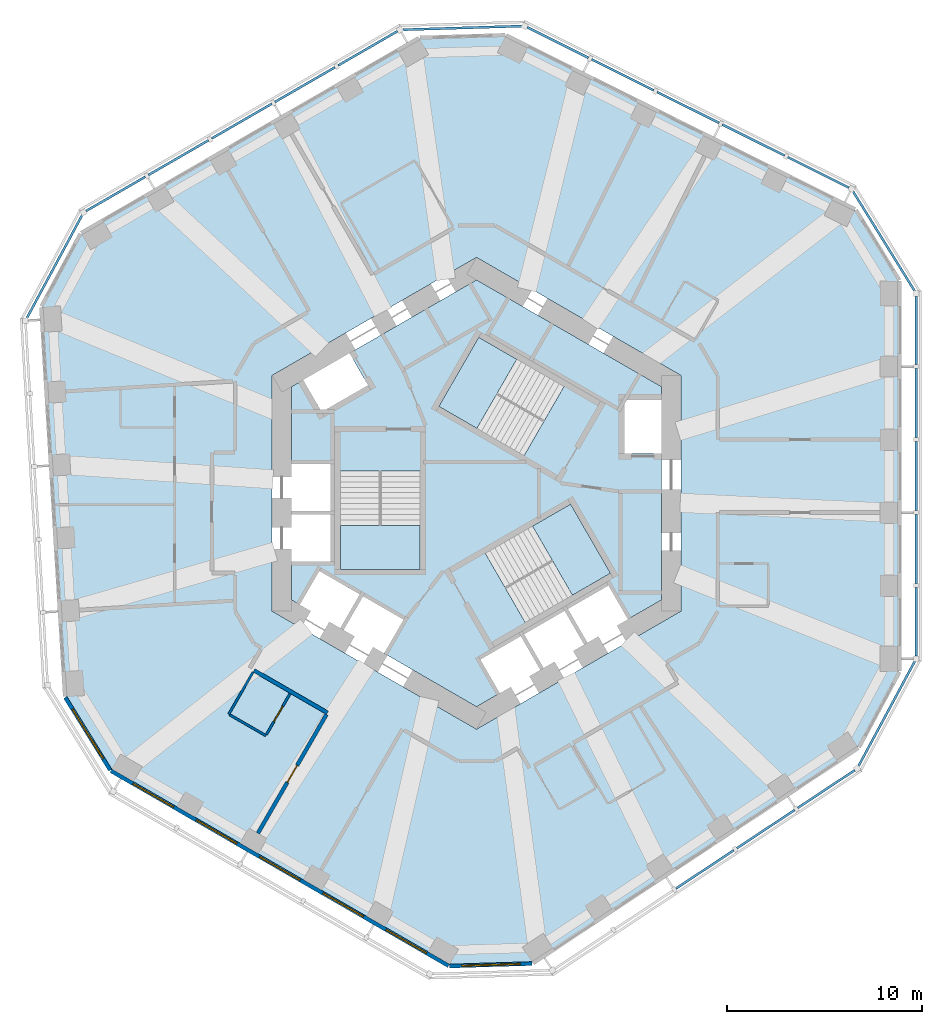
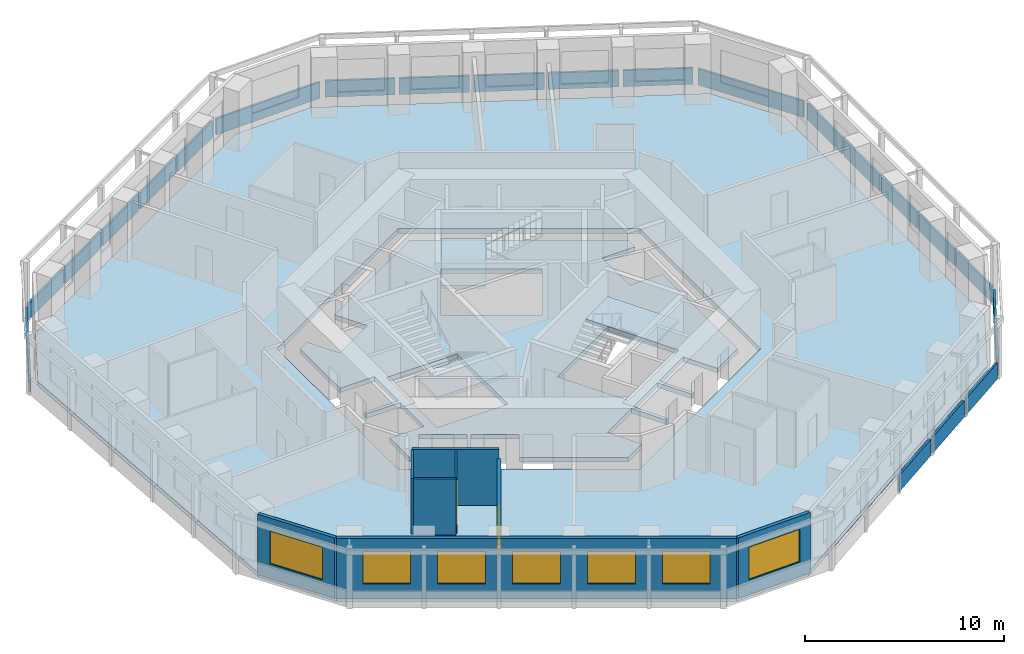
# One storey, part 3 of 11: 22 plates, 8 walls, 7 windows, 5 slabs, 2 doors, 9 openings, 11 elements without a shape of their own.
"""IFC4 building model written with IfcOpenShell, lengths in metres."""

from ifc_helpers import new_model, si_unit, direction, frame, frame_2d, origin, origin_2d, place, context, subcontext, project, spatial, polyline, rectangle, outline, extrude, material, layer, layer_set, type_object, element, fill, aggregate, save


model = new_model("IFC4")

# Units and contexts
model_context = context("Model", 3, precision=1e-05, world=origin(), true_north=direction((0.0, 1.0)))
body_context = subcontext(model_context, "Body", "Model", "MODEL_VIEW")
ifc_project = project(units=[si_unit("LENGTHUNIT", "METRE"), si_unit("AREAUNIT", "SQUARE_METRE"), si_unit("VOLUMEUNIT", "CUBIC_METRE"), si_unit("PLANEANGLEUNIT", "RADIAN"), si_unit("MASSUNIT", "GRAM", prefix="KILO")], contexts=[model_context])

# Site, building, storey
site_placement = place(None, origin())
site = spatial("IfcSite", under=ifc_project, at=site_placement, CompositionType="ELEMENT")
building_placement = place(site_placement, origin())
building = spatial("IfcBuilding", under=site, at=building_placement, Name="Vanh Sen Convention Tower", CompositionType="ELEMENT")
storey_placement = place(building_placement, frame((0.0, 0.0, 146.60009765625)))
storey = spatial("IfcBuildingStorey", under=building, at=storey_placement, Name="L35", CompositionType="ELEMENT", Elevation=146.60009765625)

# Slabs
ifc_material_1 = material(Name="Concrete C40/50", Category="concrete")
ifc_layer_1 = layer(ifc_material_1, 0.280029296875)
ifc_layer_set_1 = layer_set([ifc_layer_1], Name="Concrete C40/50")
slab_type_1 = type_object("IfcSlabType", Name="Core slab 280", PredefinedType="FLOOR", material=ifc_layer_set_1)
slab_1_placement = place(storey_placement, frame((0.0, 0.0, -0.280029296875)))
element("IfcSlab", 1, at=slab_1_placement, inside=storey, type_object=slab_type_1, Name="Core slab L35", PredefinedType="FLOOR", context=body_context, shape_type="SweptSolid", body=[
    extrude(outline(polyline([(0.0, 10.9697265625), (9.5, 5.48486328125), (9.5, 4.800048828125), (7.60009765625, 4.800048828125), (7.60009765625, 2.050048828125), (9.5, 2.050048828125), (9.5, -5.48486328125), (7.781005859375, -6.477294921875), (6.781005859375, -4.7451171875), (4.70263671875, -5.9453125), (5.70263671875, -7.67724609375), (5.529296875, -7.777099609375), (4.529296875, -6.045166015625), (2.450927734375, -7.2451171875), (3.450927734375, -8.977294921875), (3.27783203125, -9.0771484375), (2.27783203125, -7.34521484375), (0.19921875, -8.545166015625), (1.19921875, -10.277099609375), (0.0, -10.9697265625), (-4.75, -8.227294921875), (-3.75, -6.4951171875), (-5.82861328125, -5.295166015625), (-6.82861328125, -7.027099609375), (-7.001708984375, -6.92724609375), (-6.001708984375, -5.1953125), (-8.080078125, -3.9951171875), (-9.080078125, -5.727294921875), (-9.5, -5.48486328125), (-9.5, -3.5), (-7.5, -3.5), (-7.5, -1.10009765625), (-9.5, -1.10009765625), (-9.5, -0.89990234375), (-7.5, -0.89990234375), (-7.5, 1.5), (-9.5, 1.5), (-9.5, 5.48486328125), (-8.906982421875, 5.8271484375), (-7.956787109375, 4.181884765625), (-5.575439453125, 5.556884765625), (-6.525390625, 7.2021484375), (0.0, 10.9697265625)]), holes=[polyline([(-7.0, 1.1494140625), (-7.0, -3.909912109375), (-2.89990234375, -3.909912109375), (-2.89990234375, 1.1494140625), (-7.0, 1.1494140625)]), polyline([(2.504638671875, -6.63671875), (6.88623046875, -4.107177734375), (4.836181640625, -0.556396484375), (0.45458984375, -3.086181640625), (2.504638671875, -6.63671875)]), polyline([(0.11376953125, 8.01708984375), (-1.936279296875, 4.466552734375), (2.4453125, 1.936767578125), (4.495361328125, 5.487548828125), (0.11376953125, 8.01708984375)])]), origin(), (0.0, 0.0, 1.0), 0.280029296875),
])
ifc_layer_2 = layer(ifc_material_1, 0.280029296875)
ifc_layer_set_2 = layer_set([ifc_layer_2], Name="Concrete C40/50")
slab_type_2 = type_object("IfcSlabType", Name="Floor slab 280 REI 120", PredefinedType="FLOOR", material=ifc_layer_set_2)
slab_2_placement = place(storey_placement, frame((0.0, 0.0, -0.280029296875)))
element("IfcSlab", 2, at=slab_2_placement, inside=storey, type_object=slab_type_2, Name="Floor slab L35 tower", PredefinedType="FLOOR", context=body_context, shape_type="SweptSolid", body=[
    extrude(outline(polyline([(21.699951171875, -9.15087890625), (21.699951171875, 10.91943359375), (19.454833984375, 14.5478515625), (1.492919921875, 23.503173828125), (-2.925048828125, 23.368408203125), (-20.306640625, 13.3330078125), (-22.326171875, 9.574462890625), (-21.100830078125, -10.458740234375), (-18.77490234375, -14.21728515625), (-1.393310546875, -24.25244140625), (2.871337890625, -24.122314453125), (19.60791015625, -13.04443359375), (21.699951171875, -9.15087890625)]), holes=[polyline([(0.0, 12.12451171875), (-10.5, 6.062255859375), (-10.5, -6.062255859375), (0.0, -12.12451171875), (10.5, -6.062255859375), (10.5, 6.062255859375), (0.0, 12.12451171875)])]), origin(), (0.0, 0.0, 1.0), 0.280029296875),
])

# Curtain wall, plates
ifc_material_2 = material(Name="Concrete C50/60", Category="concrete")
curtain_wall_type = type_object("IfcCurtainWallType", Name="Outer skin office zone", PredefinedType="NOTDEFINED", material=ifc_material_2)
curtain_wall_1_placement = place(storey_placement, origin())
curtain_wall_1 = element("IfcCurtainWall", 3, at=curtain_wall_1_placement, inside=storey, type_object=curtain_wall_type, Name="OUTER SKIN E L35", PredefinedType="NOTDEFINED")
ifc_layer_3 = layer(ifc_material_2, 0.1201171875)
ifc_layer_set_3 = layer_set([ifc_layer_3], Name="Concrete C50/60")
plate_type = type_object("IfcPlateType", Name="Outer skin precast screen panel 120", PredefinedType="CURTAIN_PANEL", material=ifc_layer_set_3)
plate_1_placement = place(storey_placement, frame((22.60009765625, -6.59912109375, 0.0), z_axis=(0.0, 0.0, 1.0), x_axis=(0.0, 1.0, 0.0)))
plate_1 = element("IfcPlate", 4, at=plate_1_placement, type_object=plate_type, Name="OUTER SKIN screen panel E-1", PredefinedType="CURTAIN_PANEL", context=body_context, shape_type="SweptSolid", body=[
    extrude(rectangle(XDim=3.504150390625, YDim=0.1201171875, at=origin_2d()), origin(), (0.0, 0.0, 1.0), 1.0),
])
plate_2_placement = place(storey_placement, frame((22.60009765625, -2.869873046875, 0.0), z_axis=(0.0, 0.0, 1.0), x_axis=(0.0, 1.0, 0.0)))
plate_2 = element("IfcPlate", 5, at=plate_2_placement, type_object=plate_type, Name="OUTER SKIN screen panel E-2", PredefinedType="CURTAIN_PANEL", context=body_context, shape_type="SweptSolid", body=[
    extrude(rectangle(XDim=3.55419921875, YDim=0.1201171875, at=origin_2d()), origin(), (0.0, 0.0, 1.0), 1.0),
])
plate_3_placement = place(storey_placement, frame((22.60009765625, 0.88427734375, 0.0), z_axis=(0.0, 0.0, 1.0), x_axis=(0.0, 1.0, 0.0)))
plate_3 = element("IfcPlate", 6, at=plate_3_placement, type_object=plate_type, Name="OUTER SKIN screen panel E-3", PredefinedType="CURTAIN_PANEL", context=body_context, shape_type="SweptSolid", body=[
    extrude(rectangle(XDim=3.55419921875, YDim=0.1201171875, at=origin_2d()), origin(), (0.0, 0.0, 1.0), 1.0),
])
plate_4_placement = place(storey_placement, frame((22.60009765625, 4.63818359375, 0.0), z_axis=(0.0, 0.0, 1.0), x_axis=(0.0, 1.0, 0.0)))
plate_4 = element("IfcPlate", 7, at=plate_4_placement, type_object=plate_type, Name="OUTER SKIN screen panel E-4", PredefinedType="CURTAIN_PANEL", context=body_context, shape_type="SweptSolid", body=[
    extrude(rectangle(XDim=3.55419921875, YDim=0.1201171875, at=origin_2d()), origin(), (0.0, 0.0, 1.0), 1.0),
])
plate_5_placement = place(storey_placement, frame((22.60009765625, 8.367431640625, 0.0), z_axis=(0.0, 0.0, 1.0), x_axis=(0.0, 1.0, 0.0)))
plate_5 = element("IfcPlate", 8, at=plate_5_placement, type_object=plate_type, Name="OUTER SKIN screen panel E-5", PredefinedType="CURTAIN_PANEL", context=body_context, shape_type="SweptSolid", body=[
    extrude(rectangle(XDim=3.504150390625, YDim=0.1201171875, at=origin_2d()), origin(), (0.0, 0.0, 1.0), 1.0),
])
aggregate(curtain_wall_1, [plate_1, plate_2, plate_3, plate_4, plate_5])

# Curtain wall, plate
curtain_wall_2_placement = place(storey_placement, origin())
curtain_wall_2 = element("IfcCurtainWall", 9, at=curtain_wall_2_placement, inside=storey, type_object=curtain_wall_type, Name="OUTER SKIN CH1 L35", PredefinedType="NOTDEFINED")
plate_6_placement = place(storey_placement, frame((20.937255859375, 12.956298828125, 0.0), z_axis=(0.0, 0.0, 1.0), x_axis=(-0.5262035346, 0.850358653848, 0.0)))
plate_6 = element("IfcPlate", 10, at=plate_6_placement, type_object=plate_type, Name="OUTER SKIN screen panel CH1-1", PredefinedType="CURTAIN_PANEL", context=body_context, shape_type="SweptSolid", body=[
    extrude(rectangle(XDim=6.01953125, YDim=0.1201171875, at=origin_2d()), origin(), (0.0, 0.0, 1.0), 1.0),
])
aggregate(curtain_wall_2, [plate_6])

# Curtain wall, plates
curtain_wall_3_placement = place(storey_placement, origin())
curtain_wall_3 = element("IfcCurtainWall", 11, at=curtain_wall_3_placement, inside=storey, type_object=curtain_wall_type, Name="OUTER SKIN NE L35", PredefinedType="NOTDEFINED")
plate_7_placement = place(storey_placement, frame((17.572509765625, 16.491943359375, 0.0), z_axis=(0.0, 0.0, 1.0), x_axis=(-0.894943706551, 0.446179069551, 0.0)))
plate_7 = element("IfcPlate", 12, at=plate_7_placement, type_object=plate_type, Name="OUTER SKIN screen panel NE-1", PredefinedType="CURTAIN_PANEL", context=body_context, shape_type="SweptSolid", body=[
    extrude(rectangle(XDim=3.504150390625, YDim=0.1201171875, at=origin_2d()), origin(), (0.0, 0.0, 1.0), 1.0),
])
plate_8_placement = place(storey_placement, frame((14.235107421875, 18.156005859375, 0.0), z_axis=(0.0, 0.0, 1.0), x_axis=(-0.894932804072, 0.446200937017, 0.0)))
plate_8 = element("IfcPlate", 13, at=plate_8_placement, type_object=plate_type, Name="OUTER SKIN screen panel NE-2", PredefinedType="CURTAIN_PANEL", context=body_context, shape_type="SweptSolid", body=[
    extrude(rectangle(XDim=3.55419921875, YDim=0.1201171875, at=origin_2d()), origin(), (0.0, 0.0, 1.0), 1.0),
])
plate_9_placement = place(storey_placement, frame((10.87548828125, 19.8310546875, 0.0), z_axis=(0.0, 0.0, 1.0), x_axis=(-0.894932804072, 0.446200937017, 0.0)))
plate_9 = element("IfcPlate", 14, at=plate_9_placement, type_object=plate_type, Name="OUTER SKIN screen panel NE-3", PredefinedType="CURTAIN_PANEL", context=body_context, shape_type="SweptSolid", body=[
    extrude(rectangle(XDim=3.55419921875, YDim=0.1201171875, at=origin_2d()), origin(), (0.0, 0.0, 1.0), 1.0),
])
plate_10_placement = place(storey_placement, frame((7.515625, 21.506103515625, 0.0), z_axis=(0.0, 0.0, 1.0), x_axis=(-0.894932804072, 0.446200937017, 0.0)))
plate_10 = element("IfcPlate", 15, at=plate_10_placement, type_object=plate_type, Name="OUTER SKIN screen panel NE-4", PredefinedType="CURTAIN_PANEL", context=body_context, shape_type="SweptSolid", body=[
    extrude(rectangle(XDim=3.55419921875, YDim=0.1201171875, at=origin_2d()), origin(), (0.0, 0.0, 1.0), 1.0),
])
plate_11_placement = place(storey_placement, frame((4.178466796875, 23.169921875, 0.0), z_axis=(0.0, 0.0, 1.0), x_axis=(-0.894943706551, 0.446179069551, 0.0)))
plate_11 = element("IfcPlate", 16, at=plate_11_placement, type_object=plate_type, Name="OUTER SKIN screen panel NE-5", PredefinedType="CURTAIN_PANEL", context=body_context, shape_type="SweptSolid", body=[
    extrude(rectangle(XDim=3.504150390625, YDim=0.1201171875, at=origin_2d()), origin(), (0.0, 0.0, 1.0), 1.0),
])
aggregate(curtain_wall_3, [plate_7, plate_8, plate_9, plate_10, plate_11])

# Curtain wall, plate
curtain_wall_4_placement = place(storey_placement, origin())
curtain_wall_4 = element("IfcCurtainWall", 17, at=curtain_wall_4_placement, inside=storey, type_object=curtain_wall_type, Name="OUTER SKIN CH2 L35", PredefinedType="NOTDEFINED")
plate_12_placement = place(storey_placement, frame((-0.73095703125, 23.920654296875, 0.0), z_axis=(0.0, 0.0, 1.0), x_axis=(-0.999533590837, -0.03053851321, 0.0)))
plate_12 = element("IfcPlate", 18, at=plate_12_placement, type_object=plate_type, Name="OUTER SKIN screen panel CH2-1", PredefinedType="CURTAIN_PANEL", context=body_context, shape_type="SweptSolid", body=[
    extrude(rectangle(XDim=6.1171875, YDim=0.1201171875, at=origin_2d()), origin(), (0.0, 0.0, 1.0), 1.0),
])
aggregate(curtain_wall_4, [plate_12])

# Curtain wall, plates
curtain_wall_5_placement = place(storey_placement, origin())
curtain_wall_5 = element("IfcCurtainWall", 19, at=curtain_wall_5_placement, inside=storey, type_object=curtain_wall_type, Name="OUTER SKIN NW L35", PredefinedType="NOTDEFINED")
plate_13_placement = place(storey_placement, frame((-5.585205078125, 22.87158203125, 0.0), z_axis=(0.0, 0.0, 1.0), x_axis=(-0.866035002936, -0.499983373414, 0.0)))
plate_13 = element("IfcPlate", 20, at=plate_13_placement, type_object=plate_type, Name="OUTER SKIN screen panel NW-1", PredefinedType="CURTAIN_PANEL", context=body_context, shape_type="SweptSolid", body=[
    extrude(rectangle(XDim=3.504150390625, YDim=0.1201171875, at=origin_2d()), origin(), (0.0, 0.0, 1.0), 1.0),
])
plate_14_placement = place(storey_placement, frame((-8.814697265625, 21.007080078125, 0.0), z_axis=(0.0, 0.0, 1.0), x_axis=(-0.866016677006, -0.500015114919, 0.0)))
plate_14 = element("IfcPlate", 21, at=plate_14_placement, type_object=plate_type, Name="OUTER SKIN screen panel NW-2", PredefinedType="CURTAIN_PANEL", context=body_context, shape_type="SweptSolid", body=[
    extrude(rectangle(XDim=3.55419921875, YDim=0.1201171875, at=origin_2d()), origin(), (0.0, 0.0, 1.0), 1.0),
])
plate_15_placement = place(storey_placement, frame((-12.06591796875, 19.1298828125, 0.0), z_axis=(0.0, 0.0, 1.0), x_axis=(-0.866035002936, -0.499983373414, 0.0)))
plate_15 = element("IfcPlate", 22, at=plate_15_placement, type_object=plate_type, Name="OUTER SKIN screen panel NW-3", PredefinedType="CURTAIN_PANEL", context=body_context, shape_type="SweptSolid", body=[
    extrude(rectangle(XDim=3.55419921875, YDim=0.1201171875, at=origin_2d()), origin(), (0.0, 0.0, 1.0), 1.0),
])
plate_16_placement = place(storey_placement, frame((-15.31689453125, 17.2529296875, 0.0), z_axis=(0.0, 0.0, 1.0), x_axis=(-0.866016677006, -0.500015114919, 0.0)))
plate_16 = element("IfcPlate", 23, at=plate_16_placement, type_object=plate_type, Name="OUTER SKIN screen panel NW-4", PredefinedType="CURTAIN_PANEL", context=body_context, shape_type="SweptSolid", body=[
    extrude(rectangle(XDim=3.55419921875, YDim=0.1201171875, at=origin_2d()), origin(), (0.0, 0.0, 1.0), 1.0),
])
plate_17_placement = place(storey_placement, frame((-18.54638671875, 15.388427734375, 0.0), z_axis=(0.0, 0.0, 1.0), x_axis=(-0.866035002936, -0.499983373414, 0.0)))
plate_17 = element("IfcPlate", 24, at=plate_17_placement, type_object=plate_type, Name="OUTER SKIN screen panel NW-5", PredefinedType="CURTAIN_PANEL", context=body_context, shape_type="SweptSolid", body=[
    extrude(rectangle(XDim=3.504150390625, YDim=0.1201171875, at=origin_2d()), origin(), (0.0, 0.0, 1.0), 1.0),
])
aggregate(curtain_wall_5, [plate_13, plate_14, plate_15, plate_16, plate_17])

# Curtain wall, plate
curtain_wall_6_placement = place(storey_placement, origin())
curtain_wall_6 = element("IfcCurtainWall", 25, at=curtain_wall_6_placement, inside=storey, type_object=curtain_wall_type, Name="OUTER SKIN CH3 L35", PredefinedType="NOTDEFINED")
plate_18_placement = place(storey_placement, frame((-21.689208984375, 11.654052734375, 0.0), z_axis=(0.0, 0.0, 1.0), x_axis=(-0.47331812974, -0.880891564303, 0.0)))
plate_18 = element("IfcPlate", 26, at=plate_18_placement, type_object=plate_type, Name="OUTER SKIN screen panel CH3-1", PredefinedType="CURTAIN_PANEL", context=body_context, shape_type="SweptSolid", body=[
    extrude(rectangle(XDim=6.019287109375, YDim=0.1201171875, at=origin_2d()), origin(), (0.0, 0.0, 1.0), 1.0),
])
aggregate(curtain_wall_6, [plate_18])

# Curtain wall, plates
curtain_wall_7_placement = place(storey_placement, origin())
curtain_wall_7 = element("IfcCurtainWall", 27, at=curtain_wall_7_placement, inside=storey, type_object=curtain_wall_type, Name="OUTER SKIN SE L35", PredefinedType="NOTDEFINED")
plate_19_placement = place(storey_placement, frame((11.736328125, -19.333984375, 0.0), z_axis=(0.0, 0.0, 1.0), x_axis=(0.833877152158, 0.551950083892, 0.0)))
plate_19 = element("IfcPlate", 28, at=plate_19_placement, type_object=plate_type, Name="OUTER SKIN screen panel SE-3", PredefinedType="CURTAIN_PANEL", context=body_context, shape_type="SweptSolid", body=[
    extrude(rectangle(XDim=3.55419921875, YDim=0.1201171875, at=origin_2d()), origin(), (0.0, 0.0, 1.0), 1.0),
])
plate_20_placement = place(storey_placement, frame((14.866943359375, -17.26171875, 0.0), z_axis=(0.0, 0.0, 1.0), x_axis=(0.833889675294, 0.551931163677, 0.0)))
plate_20 = element("IfcPlate", 29, at=plate_20_placement, type_object=plate_type, Name="OUTER SKIN screen panel SE-4", PredefinedType="CURTAIN_PANEL", context=body_context, shape_type="SweptSolid", body=[
    extrude(rectangle(XDim=3.55419921875, YDim=0.1201171875, at=origin_2d()), origin(), (0.0, 0.0, 1.0), 1.0),
])
plate_21_placement = place(storey_placement, frame((17.9765625, -15.20361328125, 0.0), z_axis=(0.0, 0.0, 1.0), x_axis=(0.833889675294, 0.551931163677, 0.0)))
plate_21 = element("IfcPlate", 30, at=plate_21_placement, type_object=plate_type, Name="OUTER SKIN screen panel SE-5", PredefinedType="CURTAIN_PANEL", context=body_context, shape_type="SweptSolid", body=[
    extrude(rectangle(XDim=3.504150390625, YDim=0.1201171875, at=origin_2d()), origin(), (0.0, 0.0, 1.0), 1.0),
])
aggregate(curtain_wall_7, [plate_19, plate_20, plate_21])

# Curtain wall, plate
curtain_wall_8_placement = place(storey_placement, origin())
curtain_wall_8 = element("IfcCurtainWall", 31, at=curtain_wall_8_placement, inside=storey, type_object=curtain_wall_type, Name="OUTER SKIN CH6 L35", PredefinedType="NOTDEFINED")
plate_22_placement = place(storey_placement, frame((21.081298828125, -11.327392578125, 0.0), z_axis=(0.0, 0.0, 1.0), x_axis=(0.473321204628, 0.880889912105, 0.0)))
plate_22 = element("IfcPlate", 32, at=plate_22_placement, type_object=plate_type, Name="OUTER SKIN screen panel CH6-1", PredefinedType="CURTAIN_PANEL", context=body_context, shape_type="SweptSolid", body=[
    extrude(rectangle(XDim=6.1171875, YDim=0.1201171875, at=origin_2d()), origin(), (0.0, 0.0, 1.0), 1.0),
])
aggregate(curtain_wall_8, [plate_22])

# Stair, slab
ifc_material_3 = material(Name="Concrete C50/60", Category="concrete")
stair_type_1 = type_object("IfcStairType", Name="Exit stair ST1 22 risers at 168.2", PredefinedType="HALF_TURN_STAIR", material=ifc_material_3)
stair_1_placement = place(storey_placement, origin())
stair_1 = element("IfcStair", 33, at=stair_1_placement, inside=storey, type_object=stair_type_1, Name="Exit stair ST1 L35", PredefinedType="HALF_TURN_STAIR")
ifc_layer_4 = layer(ifc_material_1, 0.199951171875)
ifc_layer_set_4 = layer_set([ifc_layer_4], Name="Concrete C40/50")
slab_type_3 = type_object("IfcSlabType", Name="Stair landing 200", PredefinedType="LANDING", material=ifc_layer_set_4)
slab_3_placement = place(storey_placement, frame((0.0, 0.0, 1.64990234375)))
slab_3 = element("IfcSlab", 34, at=slab_3_placement, type_object=slab_type_3, Name="ST1 landing 1", PredefinedType="LANDING", context=body_context, shape_type="SweptSolid", body=[
    extrude(outline(polyline([(2.07177734375, 6.88671875), (0.11376953125, 8.01708984375), (-1.936279296875, 4.466552734375), (0.021728515625, 3.336181640625), (2.07177734375, 6.88671875)])), origin(), (0.0, 0.0, 1.0), 0.199951171875),
])
aggregate(stair_1, [slab_3])

stair_type_2 = type_object("IfcStairType", Name="Exit stair ST2 22 risers at 168.2", PredefinedType="HALF_TURN_STAIR", material=ifc_material_3)
stair_2_placement = place(storey_placement, origin())
stair_2 = element("IfcStair", 35, at=stair_2_placement, inside=storey, type_object=stair_type_2, Name="Exit stair ST2 L35", PredefinedType="HALF_TURN_STAIR")
slab_4_placement = place(storey_placement, frame((0.0, 0.0, 1.64990234375)))
slab_4 = element("IfcSlab", 36, at=slab_4_placement, type_object=slab_type_3, Name="ST2 landing 1", PredefinedType="LANDING", context=body_context, shape_type="SweptSolid", body=[
    extrude(outline(polyline([(-7.0, -1.6494140625), (-7.0, -3.909912109375), (-2.89990234375, -3.909912109375), (-2.89990234375, -1.6494140625), (-7.0, -1.6494140625)])), origin(), (0.0, 0.0, 1.0), 0.199951171875),
])
aggregate(stair_2, [slab_4])

stair_type_3 = type_object("IfcStairType", Name="Exit stair ST3 22 risers at 168.2", PredefinedType="HALF_TURN_STAIR", material=ifc_material_3)
stair_3_placement = place(storey_placement, origin())
stair_3 = element("IfcStair", 37, at=stair_3_placement, inside=storey, type_object=stair_type_3, Name="Exit stair ST3 L35", PredefinedType="HALF_TURN_STAIR")
slab_5_placement = place(storey_placement, frame((0.0, 0.0, 1.64990234375)))
slab_5 = element("IfcSlab", 38, at=slab_5_placement, type_object=slab_type_3, Name="ST3 landing 1", PredefinedType="LANDING", context=body_context, shape_type="SweptSolid", body=[
    extrude(outline(polyline([(4.92822265625, -5.237548828125), (6.88623046875, -4.107177734375), (4.836181640625, -0.556396484375), (2.87841796875, -1.686767578125), (4.92822265625, -5.237548828125)])), origin(), (0.0, 0.0, 1.0), 0.199951171875),
])
aggregate(stair_3, [slab_5])

# Walls
ifc_material_4 = material(Name="Moisture-resistant gypsum board on steel studs", Category="steel")
ifc_layer_5 = layer(ifc_material_4, 0.1201171875)
ifc_layer_set_5 = layer_set([ifc_layer_5], Name="Moisture-resistant gypsum board on steel studs")
wall_type_1 = type_object("IfcWallType", Name="Bathroom partition 120", PredefinedType="PARTITIONING", material=ifc_layer_set_5)
wall_1_placement = place(storey_placement, frame((-12.734619140625, -11.35498046875, 0.0), z_axis=(0.0, 0.0, 1.0), x_axis=(0.500004234368, 0.866022959057, 0.0)))
element("IfcWall", 39, at=wall_1_placement, inside=storey, type_object=wall_type_1, Name="Bathroom partition 120", PredefinedType="PARTITIONING", context=body_context, shape_type="SweptSolid", body=[
    extrude(rectangle(XDim=2.5, YDim=0.1201171875, at=frame_2d((1.25, 0.0))), origin(), (0.0, 0.0, 1.0), 3.419921875),
])
wall_2_placement = place(storey_placement, frame((-10.829345703125, -12.455078125, 0.0), z_axis=(0.0, 0.0, 1.0), x_axis=(-0.86600889856, 0.500028586798, 0.0)))
element("IfcWall", 40, at=wall_2_placement, inside=storey, type_object=wall_type_1, Name="Bathroom partition 120", PredefinedType="PARTITIONING", context=body_context, shape_type="SweptSolid", body=[
    extrude(rectangle(XDim=2.139892578125, YDim=0.1201171875, at=frame_2d((1.06982421875, 0.0))), origin(), (0.0, 0.0, 1.0), 3.419921875),
])

# Wall, opening, door
wall_3_placement = place(storey_placement, frame((-9.579345703125, -10.289794921875, 0.0), z_axis=(0.0, 0.0, 1.0), x_axis=(-0.499959183527, -0.866048967903, 0.0)))
wall_3 = element("IfcWall", 41, at=wall_3_placement, inside=storey, type_object=wall_type_1, Name="Bathroom partition 120", PredefinedType="PARTITIONING", context=body_context, shape_type="SweptSolid", body=[
    extrude(rectangle(XDim=2.440185546875, YDim=0.1201171875, at=frame_2d((1.22021484375, 0.0))), origin(), (0.0, 0.0, 1.0), 3.419921875),
])
opening_1_placement = place(wall_3_placement, frame((0.77001953125, 0.0, 0.0)))
opening_1 = element("IfcOpeningElement", 42, at=opening_1_placement, cuts=wall_3, Name="Opening D35112", PredefinedType="OPENING", context=body_context, shape_type="SweptSolid", body=[
    extrude(rectangle(XDim=0.89990234375, YDim=2.10009765625, at=frame_2d((0.449951171875, 1.050048828125))), frame((0.0, 0.070068359375, 0.0), z_axis=(0.0, -1.0, 0.0), x_axis=(1.0, 0.0, 0.0)), (0.0, 0.0, 1.0), 0.14013671875),
])
ifc_material_5 = material(Name="Laminate door in steel frame", Category="steel")
door_type_1 = type_object("IfcDoorType", Name="Room internal door 900", OperationType="SINGLE_SWING_LEFT", PredefinedType="DOOR", material=ifc_material_5)
door_1_placement = place(opening_1_placement, origin())
door_1 = element("IfcDoor", 43, at=door_1_placement, inside=storey, type_object=door_type_1, Name="Internal room door D35112", OperationType="SINGLE_SWING_LEFT", OverallHeight=2.10009765625, OverallWidth=0.89990234375, PredefinedType="DOOR", context=body_context, shape_type="SweptSolid", body=[
    extrude(rectangle(XDim=0.89990234375, YDim=2.10009765625, at=frame_2d((0.449951171875, 1.050048828125))), frame((0.0, 0.02490234375, 0.0), z_axis=(0.0, -1.0, 0.0), x_axis=(1.0, 0.0, 0.0)), (0.0, 0.0, 1.0), 0.050048828125),
])
fill(opening_1, door_1)

# Wall
ifc_material_6 = material(Name="Gypsum board on steel studs with mineral wool", Category="steel")
ifc_layer_6 = layer(ifc_material_6, 0.199951171875)
ifc_layer_set_6 = layer_set([ifc_layer_6], Name="Gypsum board on steel studs with mineral wool")
wall_type_2 = type_object("IfcWallType", Name="Corridor partition wall 200", PredefinedType="PARTITIONING", material=ifc_layer_set_6)
wall_4_placement = place(storey_placement, frame((-11.4345703125, -9.103271484375, 0.0), z_axis=(0.0, 0.0, 1.0), x_axis=(0.866007399799, -0.500031182522, 0.0)))
element("IfcWall", 44, at=wall_4_placement, inside=storey, type_object=wall_type_2, Name="Corridor partition wall 200", PredefinedType="PARTITIONING", context=body_context, shape_type="SweptSolid", body=[
    extrude(rectangle(XDim=4.358154296875, YDim=0.199951171875, at=frame_2d((2.17919921875, 0.0))), origin(), (0.0, 0.0, 1.0), 3.419921875),
])

# Wall, opening, door
wall_5_placement = place(storey_placement, frame((-11.23486328125, -17.4736328125, 0.0), z_axis=(0.0, 0.0, 1.0), x_axis=(0.500009260695, 0.866020057054, 0.0)))
wall_5 = element("IfcWall", 45, at=wall_5_placement, inside=storey, type_object=wall_type_2, Name="Corridor partition wall 200", PredefinedType="PARTITIONING", context=body_context, shape_type="SweptSolid", body=[
    extrude(rectangle(XDim=7.049072265625, YDim=0.199951171875, at=frame_2d((3.5244140625, 0.0))), origin(), (0.0, 0.0, 1.0), 2.869873046875),
])
opening_2_placement = place(wall_5_placement, frame((3.0244140625, 0.0, 0.0)))
opening_2 = element("IfcOpeningElement", 46, at=opening_2_placement, cuts=wall_5, Name="Opening D35111", PredefinedType="OPENING", context=body_context, shape_type="SweptSolid", body=[
    extrude(rectangle(XDim=1.0, YDim=2.10009765625, at=frame_2d((0.5, 1.050048828125))), frame((0.0, 0.10986328125, 0.0), z_axis=(0.0, -1.0, 0.0), x_axis=(1.0, 0.0, 0.0)), (0.0, 0.0, 1.0), 0.219970703125),
])
ifc_material_7 = material(Name="Glazed fire door in steel frame", Category="steel")
door_type_2 = type_object("IfcDoorType", Name="Tenant entrance door 1000", OperationType="SINGLE_SWING_LEFT", PredefinedType="DOOR", material=ifc_material_7)
door_2_placement = place(opening_2_placement, origin())
door_2 = element("IfcDoor", 47, at=door_2_placement, inside=storey, type_object=door_type_2, Name="Tenant suite entrance door D35111", OperationType="SINGLE_SWING_LEFT", OverallHeight=2.10009765625, OverallWidth=1.0, PredefinedType="DOOR", context=body_context, shape_type="SweptSolid", body=[
    extrude(rectangle(XDim=1.0, YDim=2.10009765625, at=frame_2d((0.5, 1.050048828125))), frame((0.0, 0.02490234375, 0.0), z_axis=(0.0, -1.0, 0.0), x_axis=(1.0, 0.0, 0.0)), (0.0, 0.0, 1.0), 0.050048828125),
])
fill(opening_2, door_2)

# Wall, opening, window
ifc_material_8 = material(Name="Insulated lightweight infill wall")
ifc_layer_7 = layer(ifc_material_8, 0.199951171875)
ifc_layer_set_7 = layer_set([ifc_layer_7], Name="Insulated lightweight infill wall")
wall_type_3 = type_object("IfcWallType", Name="External wall 200", PredefinedType="STANDARD", material=ifc_layer_set_7)
wall_6_placement = place(storey_placement, frame((-21.13671875, -10.49560546875, 0.0), z_axis=(0.0, 0.0, 1.0), x_axis=(0.526178661629, -0.850374044786, 0.0)))
wall_6 = element("IfcWall", 48, at=wall_6_placement, inside=storey, type_object=wall_type_3, Name="External wall CH4 L35", PredefinedType="STANDARD", context=body_context, shape_type="SweptSolid", body=[
    extrude(rectangle(XDim=4.394775390625, YDim=0.199951171875, at=frame_2d((2.197265625, 0.0))), origin(), (0.0, 0.0, 1.0), 3.699951171875),
])
opening_3_placement = place(wall_6_placement, frame((0.697509765625, 0.0, 0.89990234375)))
opening_3 = element("IfcOpeningElement", 49, at=opening_3_placement, cuts=wall_6, Name="Opening WO2-CH41", PredefinedType="OPENING", context=body_context, shape_type="SweptSolid", body=[
    extrude(rectangle(XDim=3.0, YDim=2.0, at=frame_2d((1.5, 1.0))), frame((0.0, 0.10986328125, 0.0), z_axis=(0.0, -1.0, 0.0), x_axis=(1.0, 0.0, 0.0)), (0.0, 0.0, 1.0), 0.219970703125),
])
ifc_material_9 = material(Name="Aluminium frame with clear low-emissivity glass", Category="aluminium")
window_type_1 = type_object("IfcWindowType", Name="Office window 3000 x 2000", PartitioningType="SINGLE_PANEL", PredefinedType="WINDOW", material=ifc_material_9)
window_1_placement = place(opening_3_placement, origin())
window_1 = element("IfcWindow", 50, at=window_1_placement, inside=storey, type_object=window_type_1, Name="Window WO2-CH41", OverallHeight=2.0, OverallWidth=3.0, PartitioningType="SINGLE_PANEL", PredefinedType="WINDOW", context=body_context, shape_type="SweptSolid", body=[
    extrude(rectangle(XDim=3.0, YDim=2.0, at=frame_2d((1.5, 1.0))), frame((0.0, 0.030029296875, 0.0), z_axis=(0.0, -1.0, 0.0), x_axis=(1.0, 0.0, 0.0)), (0.0, 0.0, 1.0), 0.06005859375),
])
fill(opening_3, window_1)

# Wall, openings, windows
wall_7_placement = place(storey_placement, frame((-18.7890625, -14.266845703125, 0.0), z_axis=(0.0, 0.0, 1.0), x_axis=(0.866023315909, -0.500003616288, 0.0)))
wall_7 = element("IfcWall", 51, at=wall_7_placement, inside=storey, type_object=wall_type_3, Name="External wall SW L35", PredefinedType="STANDARD", context=body_context, shape_type="SweptSolid", body=[
    extrude(rectangle(XDim=20.043701171875, YDim=0.199951171875, at=frame_2d((10.02197265625, 0.0))), origin(), (0.0, 0.0, 1.0), 3.699951171875),
])
opening_4_placement = place(wall_7_placement, frame((1.314453125, 0.0, 0.89990234375)))
opening_4 = element("IfcOpeningElement", 52, at=opening_4_placement, cuts=wall_7, Name="Opening WO1-SW1", PredefinedType="OPENING", context=body_context, shape_type="SweptSolid", body=[
    extrude(rectangle(XDim=2.39990234375, YDim=2.0, at=frame_2d((1.199951171875, 1.0))), frame((0.0, 0.10986328125, 0.0), z_axis=(0.0, -1.0, 0.0), x_axis=(1.0, 0.0, 0.0)), (0.0, 0.0, 1.0), 0.219970703125),
])
opening_5_placement = place(wall_7_placement, frame((5.068603515625, 0.0, 0.89990234375)))
opening_5 = element("IfcOpeningElement", 53, at=opening_5_placement, cuts=wall_7, Name="Opening WO1-SW2", PredefinedType="OPENING", context=body_context, shape_type="SweptSolid", body=[
    extrude(rectangle(XDim=2.39990234375, YDim=2.0, at=frame_2d((1.199951171875, 1.0))), frame((0.0, 0.10986328125, 0.0), z_axis=(0.0, -1.0, 0.0), x_axis=(1.0, 0.0, 0.0)), (0.0, 0.0, 1.0), 0.219970703125),
])
opening_6_placement = place(wall_7_placement, frame((8.82275390625, 0.0, 0.89990234375)))
opening_6 = element("IfcOpeningElement", 54, at=opening_6_placement, cuts=wall_7, Name="Opening WO1-SW3", PredefinedType="OPENING", context=body_context, shape_type="SweptSolid", body=[
    extrude(rectangle(XDim=2.39990234375, YDim=2.0, at=frame_2d((1.199951171875, 1.0))), frame((0.0, 0.10986328125, 0.0), z_axis=(0.0, -1.0, 0.0), x_axis=(1.0, 0.0, 0.0)), (0.0, 0.0, 1.0), 0.219970703125),
])
opening_7_placement = place(wall_7_placement, frame((12.576904296875, 0.0, 0.89990234375)))
opening_7 = element("IfcOpeningElement", 55, at=opening_7_placement, cuts=wall_7, Name="Opening WO1-SW4", PredefinedType="OPENING", context=body_context, shape_type="SweptSolid", body=[
    extrude(rectangle(XDim=2.39990234375, YDim=2.0, at=frame_2d((1.199951171875, 1.0))), frame((0.0, 0.10986328125, 0.0), z_axis=(0.0, -1.0, 0.0), x_axis=(1.0, 0.0, 0.0)), (0.0, 0.0, 1.0), 0.219970703125),
])
opening_8_placement = place(wall_7_placement, frame((16.330810546875, 0.0, 0.89990234375)))
opening_8 = element("IfcOpeningElement", 56, at=opening_8_placement, cuts=wall_7, Name="Opening WO1-SW5", PredefinedType="OPENING", context=body_context, shape_type="SweptSolid", body=[
    extrude(rectangle(XDim=2.39990234375, YDim=2.0, at=frame_2d((1.199951171875, 1.0))), frame((0.0, 0.10986328125, 0.0), z_axis=(0.0, -1.0, 0.0), x_axis=(1.0, 0.0, 0.0)), (0.0, 0.0, 1.0), 0.219970703125),
])
window_type_2 = type_object("IfcWindowType", Name="Office window 2400 x 2000", PartitioningType="SINGLE_PANEL", PredefinedType="WINDOW", material=ifc_material_9)
window_2_placement = place(opening_4_placement, origin())
window_2 = element("IfcWindow", 57, at=window_2_placement, inside=storey, type_object=window_type_2, Name="Window WO1-SW1", OverallHeight=2.0, OverallWidth=2.39990234375, PartitioningType="SINGLE_PANEL", PredefinedType="WINDOW", context=body_context, shape_type="SweptSolid", body=[
    extrude(rectangle(XDim=2.39990234375, YDim=2.0, at=frame_2d((1.199951171875, 1.0))), frame((0.0, 0.030029296875, 0.0), z_axis=(0.0, -1.0, 0.0), x_axis=(1.0, 0.0, 0.0)), (0.0, 0.0, 1.0), 0.06005859375),
])
fill(opening_4, window_2)
window_3_placement = place(opening_5_placement, origin())
window_3 = element("IfcWindow", 58, at=window_3_placement, inside=storey, type_object=window_type_2, Name="Window WO1-SW2", OverallHeight=2.0, OverallWidth=2.39990234375, PartitioningType="SINGLE_PANEL", PredefinedType="WINDOW", context=body_context, shape_type="SweptSolid", body=[
    extrude(rectangle(XDim=2.39990234375, YDim=2.0, at=frame_2d((1.199951171875, 1.0))), frame((0.0, 0.030029296875, 0.0), z_axis=(0.0, -1.0, 0.0), x_axis=(1.0, 0.0, 0.0)), (0.0, 0.0, 1.0), 0.06005859375),
])
fill(opening_5, window_3)
window_4_placement = place(opening_6_placement, origin())
window_4 = element("IfcWindow", 59, at=window_4_placement, inside=storey, type_object=window_type_2, Name="Window WO1-SW3", OverallHeight=2.0, OverallWidth=2.39990234375, PartitioningType="SINGLE_PANEL", PredefinedType="WINDOW", context=body_context, shape_type="SweptSolid", body=[
    extrude(rectangle(XDim=2.39990234375, YDim=2.0, at=frame_2d((1.199951171875, 1.0))), frame((0.0, 0.030029296875, 0.0), z_axis=(0.0, -1.0, 0.0), x_axis=(1.0, 0.0, 0.0)), (0.0, 0.0, 1.0), 0.06005859375),
])
fill(opening_6, window_4)
window_5_placement = place(opening_7_placement, origin())
window_5 = element("IfcWindow", 60, at=window_5_placement, inside=storey, type_object=window_type_2, Name="Window WO1-SW4", OverallHeight=2.0, OverallWidth=2.39990234375, PartitioningType="SINGLE_PANEL", PredefinedType="WINDOW", context=body_context, shape_type="SweptSolid", body=[
    extrude(rectangle(XDim=2.39990234375, YDim=2.0, at=frame_2d((1.199951171875, 1.0))), frame((0.0, 0.030029296875, 0.0), z_axis=(0.0, -1.0, 0.0), x_axis=(1.0, 0.0, 0.0)), (0.0, 0.0, 1.0), 0.06005859375),
])
fill(opening_7, window_5)
window_6_placement = place(opening_8_placement, origin())
window_6 = element("IfcWindow", 61, at=window_6_placement, inside=storey, type_object=window_type_2, Name="Window WO1-SW5", OverallHeight=2.0, OverallWidth=2.39990234375, PartitioningType="SINGLE_PANEL", PredefinedType="WINDOW", context=body_context, shape_type="SweptSolid", body=[
    extrude(rectangle(XDim=2.39990234375, YDim=2.0, at=frame_2d((1.199951171875, 1.0))), frame((0.0, 0.030029296875, 0.0), z_axis=(0.0, -1.0, 0.0), x_axis=(1.0, 0.0, 0.0)), (0.0, 0.0, 1.0), 0.06005859375),
])
fill(opening_8, window_6)

# Wall, opening, window
wall_8_placement = place(storey_placement, frame((-1.377685546875, -24.302001953125, 0.0), z_axis=(0.0, 0.0, 1.0), x_axis=(0.999533857267, 0.030529791629, 0.0)))
wall_8 = element("IfcWall", 62, at=wall_8_placement, inside=storey, type_object=wall_type_3, Name="External wall CH5 L35", PredefinedType="STANDARD", context=body_context, shape_type="SweptSolid", body=[
    extrude(rectangle(XDim=4.23828125, YDim=0.199951171875, at=frame_2d((2.119140625, 0.0))), origin(), (0.0, 0.0, 1.0), 3.699951171875),
])
opening_9_placement = place(wall_8_placement, frame((0.619140625, 0.0, 0.89990234375)))
opening_9 = element("IfcOpeningElement", 63, at=opening_9_placement, cuts=wall_8, Name="Opening WO2-CH51", PredefinedType="OPENING", context=body_context, shape_type="SweptSolid", body=[
    extrude(rectangle(XDim=3.0, YDim=2.0, at=frame_2d((1.5, 1.0))), frame((0.0, 0.10986328125, 0.0), z_axis=(0.0, -1.0, 0.0), x_axis=(1.0, 0.0, 0.0)), (0.0, 0.0, 1.0), 0.219970703125),
])
window_7_placement = place(opening_9_placement, origin())
window_7 = element("IfcWindow", 64, at=window_7_placement, inside=storey, type_object=window_type_1, Name="Window WO2-CH51", OverallHeight=2.0, OverallWidth=3.0, PartitioningType="SINGLE_PANEL", PredefinedType="WINDOW", context=body_context, shape_type="SweptSolid", body=[
    extrude(rectangle(XDim=3.0, YDim=2.0, at=frame_2d((1.5, 1.0))), frame((0.0, 0.030029296875, 0.0), z_axis=(0.0, -1.0, 0.0), x_axis=(1.0, 0.0, 0.0)), (0.0, 0.0, 1.0), 0.06005859375),
])
fill(opening_9, window_7)

save(model, "model.ifc")
